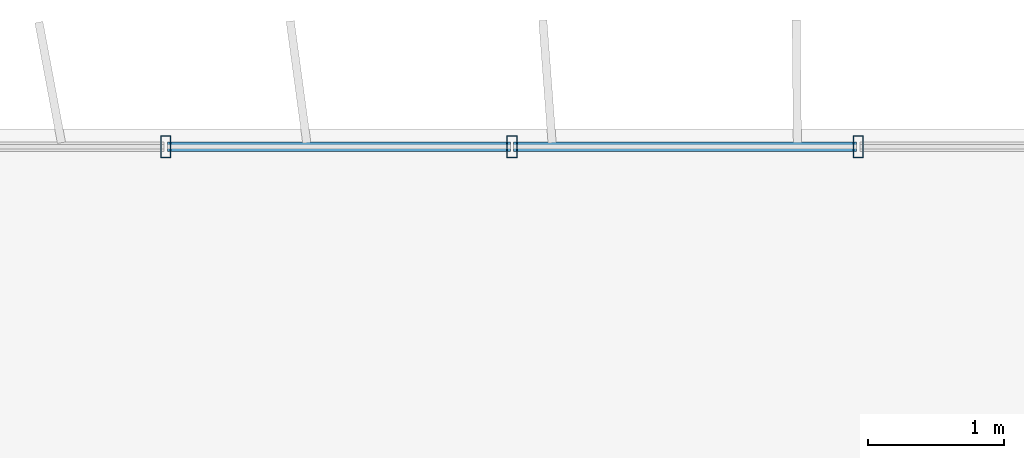
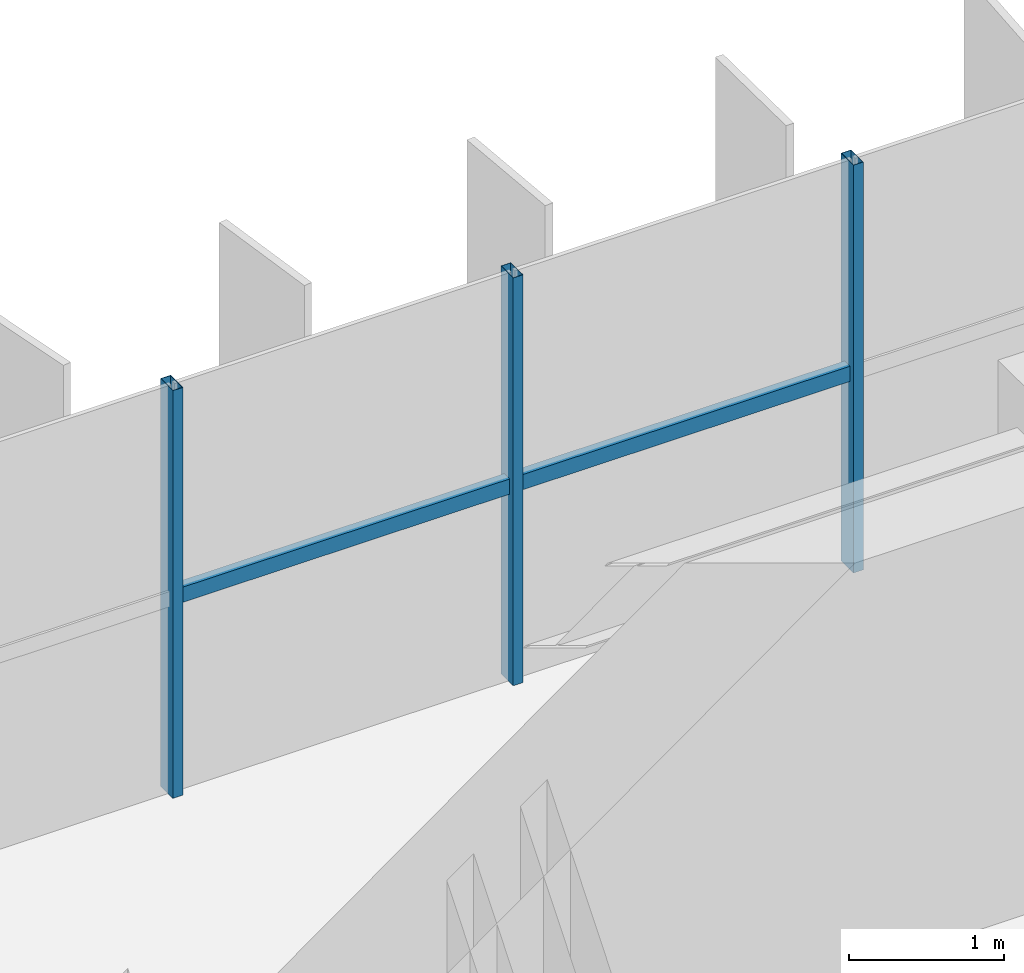
# One storey, part 21 of 37: 5 members, 1 element without a shape of its own.
"""IFC4 building model written with IfcOpenShell, lengths in metres."""

from ifc_helpers import new_model, si_unit, direction, frame, origin, origin_2d, place, context, subcontext, project, spatial, hollow_rectangle, extrude, source, transform, mapped, material, material_profile, profile_set, type_object, element, aggregate, save


model = new_model("IFC4")

# Units and contexts
model_context = context("Model", 3, precision=1e-05, world=origin(), true_north=direction((0.0, 1.0)))
body_context = subcontext(model_context, "Body", "Model", "MODEL_VIEW")
ifc_project = project(units=[si_unit("LENGTHUNIT", "METRE"), si_unit("AREAUNIT", "SQUARE_METRE"), si_unit("VOLUMEUNIT", "CUBIC_METRE"), si_unit("PLANEANGLEUNIT", "RADIAN"), si_unit("MASSUNIT", "GRAM", prefix="KILO")], contexts=[model_context])

# Site, building, storey
site_placement = place(None, origin())
site = spatial("IfcSite", under=ifc_project, at=site_placement, CompositionType="ELEMENT")
building_placement = place(site_placement, origin())
building = spatial("IfcBuilding", under=site, at=building_placement, Name="Trelvane Seafront Commons", CompositionType="ELEMENT")
storey_placement = place(building_placement, frame((0.0, 0.0, 201.300048828125)))
storey = spatial("IfcBuildingStorey", under=building, at=storey_placement, Name="L52", CompositionType="ELEMENT", Elevation=201.300048828125)

# Curtain wall, members
ifc_material = material(Name="Anodised pale-silver aluminium", Category="aluminium")
curtain_wall_type = type_object("IfcCurtainWallType", Name="ARCH-CW5-UPTOWER", PredefinedType="NOTDEFINED", material=ifc_material)
curtain_wall_placement = place(storey_placement, origin())
curtain_wall = element("IfcCurtainWall", 1, at=curtain_wall_placement, inside=storey, type_object=curtain_wall_type, Name="CW-L52-0090", PredefinedType="NOTDEFINED")
ifc_material_profile_1 = material_profile(ifc_material, hollow_rectangle(XDim=0.070068359375, YDim=0.1201171875, WallThickness=0.00390625, at=origin_2d()), Name="TRAN-70x120x4")
ifc_profile_set_1 = profile_set([ifc_material_profile_1], Name="Anodised pale-silver aluminium")
member_type_1 = type_object("IfcMemberType", Name="ARCH-CW-TRAN-120", PredefinedType="USERDEFINED", material=ifc_profile_set_1)
shared_shape_1 = source(origin(), body_context, "Body", "SweptSolid", [
    extrude(hollow_rectangle(XDim=0.070068359375, YDim=0.1201171875, WallThickness=0.00390625, at=origin_2d()), origin(), (0.0, 0.0, 1.0), 2.517333984375),
])
member_1_placement = place(storey_placement, frame((25.776611328125, 48.3701171875, 1.5458984375), z_axis=(1.0, 0.0, 0.0), x_axis=(0.0, 1.0, 0.0)))
member_1 = element("IfcMember", 2, at=member_1_placement, type_object=member_type_1, Name="CW-L52-0090-T04", ObjectType="TRANSOM", PredefinedType="USERDEFINED", context=body_context, shape_type="MappedRepresentation", body=[
    mapped(shared_shape_1, transform((0.0, 0.0, 0.0), x_axis=(1.0, 0.0, 0.0), y_axis=(0.0, 1.0, 0.0), z_axis=(0.0, 0.0, 1.0), scale=1.0)),
])
member_2_placement = place(storey_placement, frame((28.31787109375, 48.3701171875, 1.5458984375), z_axis=(1.0, 0.0, 0.0), x_axis=(0.0, 1.0, 0.0)))
member_2 = element("IfcMember", 3, at=member_2_placement, type_object=member_type_1, Name="CW-L52-0090-T05", ObjectType="TRANSOM", PredefinedType="USERDEFINED", context=body_context, shape_type="MappedRepresentation", body=[
    mapped(shared_shape_1, transform((0.0, 0.0, 0.0), x_axis=(1.0, 0.0, 0.0), y_axis=(0.0, 1.0, 0.0), z_axis=(0.0, 0.0, 1.0), scale=1.0)),
])
ifc_material_profile_2 = material_profile(ifc_material, hollow_rectangle(XDim=0.074951171875, YDim=0.159912109375, WallThickness=0.00390625, at=origin_2d()), Name="MULL-75x160x4")
ifc_profile_set_2 = profile_set([ifc_material_profile_2], Name="Anodised pale-silver aluminium")
member_type_2 = type_object("IfcMemberType", Name="ARCH-CW-MULL-160", PredefinedType="MULLION", material=ifc_profile_set_2)
shared_shape_2 = source(origin(), body_context, "Body", "SweptSolid", [
    extrude(hollow_rectangle(XDim=0.074951171875, YDim=0.159912109375, WallThickness=0.00390625, at=origin_2d()), origin(), (0.0, 0.0, 1.0), 3.219970703125),
])
member_3_placement = place(storey_placement, frame((25.7646484375, 48.3701171875, 0.0), z_axis=(0.0, 0.0, 1.0), x_axis=(1.0, 0.0, 0.0)))
member_3 = element("IfcMember", 4, at=member_3_placement, type_object=member_type_2, Name="CW-L52-0090-M04", PredefinedType="MULLION", context=body_context, shape_type="MappedRepresentation", body=[
    mapped(shared_shape_2, transform((0.0, 0.0, 0.0), x_axis=(1.0, 0.0, 0.0), y_axis=(0.0, 1.0, 0.0), z_axis=(0.0, 0.0, 1.0), scale=1.0)),
])
member_4_placement = place(storey_placement, frame((28.305908203125, 48.3701171875, 0.0), z_axis=(0.0, 0.0, 1.0), x_axis=(1.0, 0.0, 0.0)))
member_4 = element("IfcMember", 5, at=member_4_placement, type_object=member_type_2, Name="CW-L52-0090-M05", PredefinedType="MULLION", context=body_context, shape_type="MappedRepresentation", body=[
    mapped(shared_shape_2, transform((0.0, 0.0, 0.0), x_axis=(1.0, 0.0, 0.0), y_axis=(0.0, 1.0, 0.0), z_axis=(0.0, 0.0, 1.0), scale=1.0)),
])
member_5_placement = place(storey_placement, frame((30.84716796875, 48.3701171875, 0.0), z_axis=(0.0, 0.0, 1.0), x_axis=(1.0, 0.0, 0.0)))
member_5 = element("IfcMember", 6, at=member_5_placement, type_object=member_type_2, Name="CW-L52-0090-M06", PredefinedType="MULLION", context=body_context, shape_type="MappedRepresentation", body=[
    mapped(shared_shape_2, transform((0.0, 0.0, 0.0), x_axis=(1.0, 0.0, 0.0), y_axis=(0.0, 1.0, 0.0), z_axis=(0.0, 0.0, 1.0), scale=1.0)),
])
aggregate(curtain_wall, [member_3, member_4, member_5, member_1, member_2])

save(model, "model.ifc")
